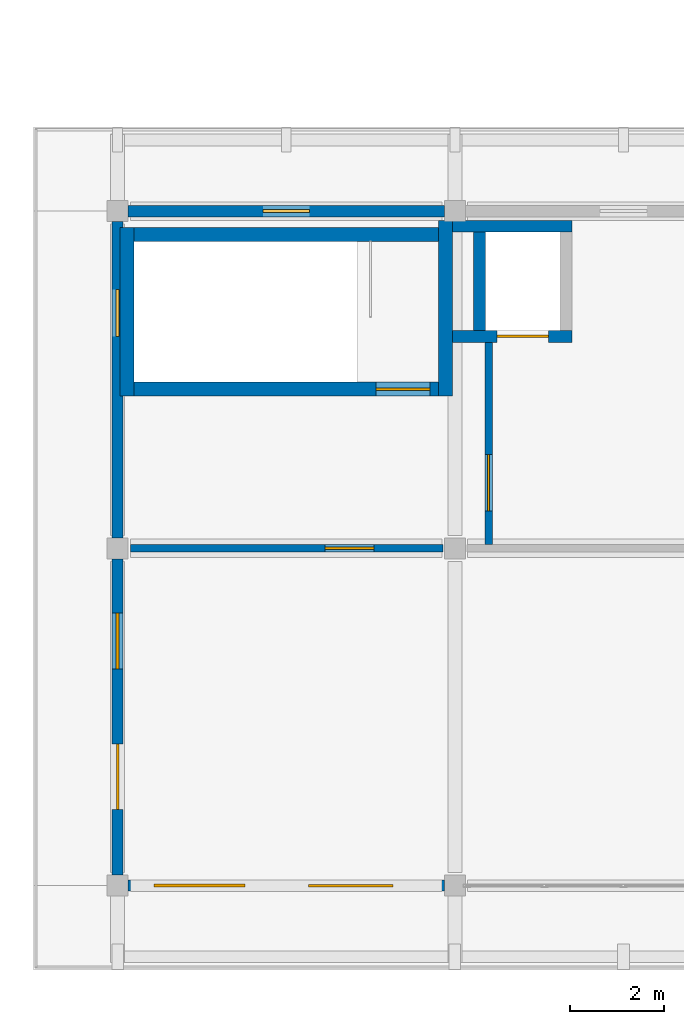
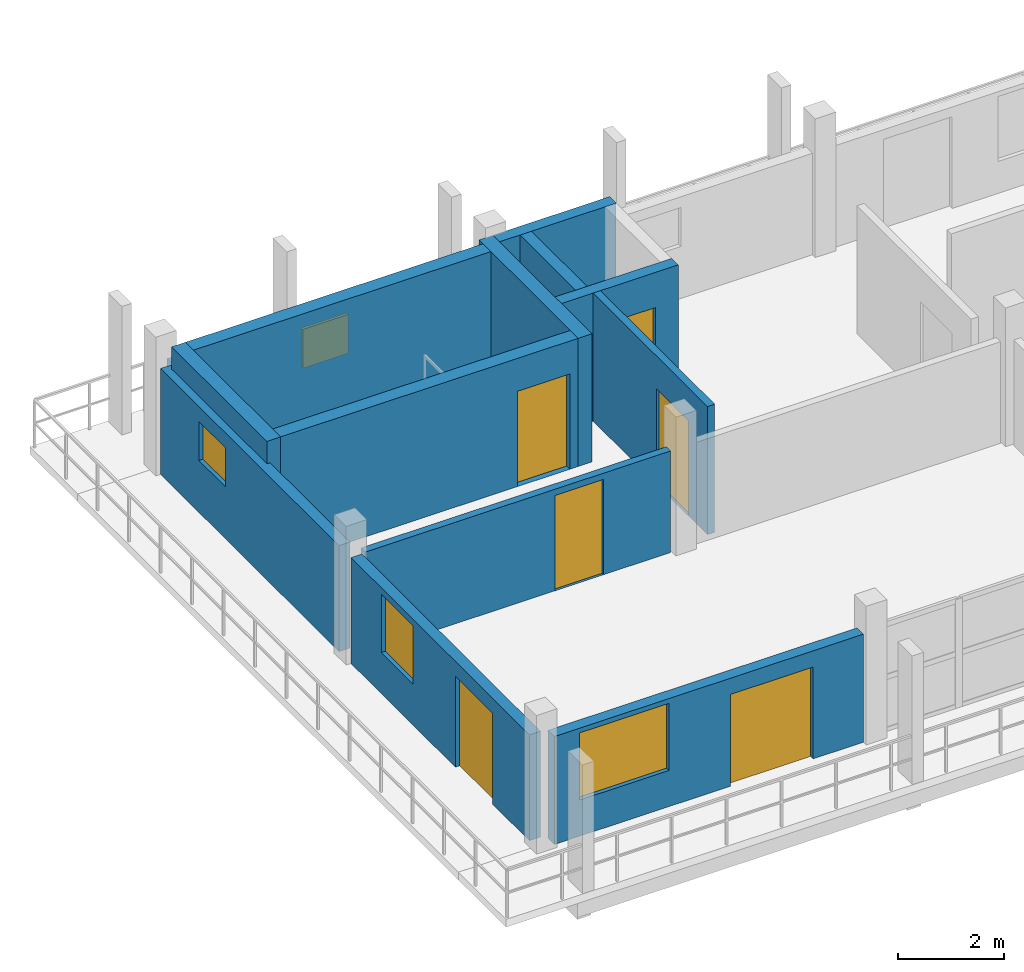
# One storey, part 31 of 56: 13 walls, 6 doors, 4 windows, 10 openings.
"""IFC4 building model written with IfcOpenShell, lengths in metres."""

from ifc_helpers import new_model, si_unit, direction, frame, frame_2d, origin, place, context, subcontext, project, spatial, rectangle, extrude, material, layer, layer_set, type_object, element, fill, save


model = new_model("IFC4")

# Units and contexts
model_context = context("Model", 3, precision=1e-05, world=origin(), true_north=direction((0.0, 1.0)))
body_context = subcontext(model_context, "Body", "Model", "MODEL_VIEW")
ifc_project = project(units=[si_unit("LENGTHUNIT", "METRE"), si_unit("AREAUNIT", "SQUARE_METRE"), si_unit("VOLUMEUNIT", "CUBIC_METRE"), si_unit("PLANEANGLEUNIT", "RADIAN"), si_unit("MASSUNIT", "GRAM", prefix="KILO")], contexts=[model_context])

# Site, building, storey
site_placement = place(None, origin())
site = spatial("IfcSite", under=ifc_project, at=site_placement, CompositionType="ELEMENT")
building_placement = place(site_placement, origin())
building = spatial("IfcBuilding", under=site, at=building_placement, Name="Suanplinth Sawtooth Commons", CompositionType="ELEMENT")
storey_placement = place(building_placement, frame((0.0, 0.0, 34.800048828125)))
storey = spatial("IfcBuildingStorey", under=building, at=storey_placement, Name="L10", CompositionType="ELEMENT", Elevation=34.800048828125)

# Wall, opening, door
ifc_material_1 = material(Name="Concrete C40/50", Category="concrete")
ifc_layer_1 = layer(ifc_material_1, 0.300048828125, Name="Standard RC stair and lift core wall 300mm")
ifc_layer_set_1 = layer_set([ifc_layer_1], Name="Concrete C40/50")
wall_type_1 = type_object("IfcWallType", Name="W-CR02", PredefinedType="SHEAR", material=ifc_layer_set_1)
wall_1_placement = place(storey_placement, frame((137.14990234375, 10.60009765625, 0.0), z_axis=(0.0, 0.0, 1.0), x_axis=(1.0, 0.0, 0.0)))
wall_1 = element("IfcWall", 1, at=wall_1_placement, inside=storey, type_object=wall_type_1, Name="W-L10-C-C1-STS", PredefinedType="SHEAR", context=body_context, shape_type="SweptSolid", body=[
    extrude(rectangle(XDim=6.5, YDim=0.300048828125, at=frame_2d((3.25, 0.0))), origin(), (0.0, 0.0, 1.0), 2.9599609375),
])
opening_1_placement = place(wall_1_placement, frame((5.169921875, 0.0, 0.0)))
opening_1 = element("IfcOpeningElement", 2, at=opening_1_placement, cuts=wall_1, Name="Opening FD0320", PredefinedType="OPENING", context=body_context, shape_type="SweptSolid", body=[
    extrude(rectangle(XDim=1.14990234375, YDim=2.199951171875, at=frame_2d((0.574951171875, 1.10009765625))), frame((0.0, 0.1650390625, 0.0), z_axis=(0.0, -1.0, 0.0), x_axis=(1.0, 0.0, 0.0)), (0.0, 0.0, 1.0), 0.329833984375),
])
ifc_material_2 = material(Name="Teak hardwood fire-rated door assembly", Category="wood")
door_type_1 = type_object("IfcDoorType", Name="FD-01", OperationType="NOTDEFINED", PredefinedType="DOOR", material=ifc_material_2)
door_1_placement = place(opening_1_placement, origin())
door_1 = element("IfcDoor", 3, at=door_1_placement, inside=storey, type_object=door_type_1, Name="Exit Stair Fire Door FD0320", OperationType="SINGLE_SWING_RIGHT", OverallHeight=2.199951171875, OverallWidth=1.14990234375, PredefinedType="DOOR", context=body_context, shape_type="SweptSolid", body=[
    extrude(rectangle(XDim=1.14990234375, YDim=2.199951171875, at=frame_2d((0.574951171875, 1.10009765625))), frame((0.0, 0.02490234375, 0.0), z_axis=(0.0, -1.0, 0.0), x_axis=(1.0, 0.0, 0.0)), (0.0, 0.0, 1.0), 0.050048828125),
])
fill(opening_1, door_1)

# Walls
wall_2_placement = place(storey_placement, frame((137.14990234375, 13.89990234375, 0.0), z_axis=(0.0, 0.0, 1.0), x_axis=(1.0, 0.0, 0.0)))
element("IfcWall", 4, at=wall_2_placement, inside=storey, type_object=wall_type_1, Name="W-L10-C-C1-STN", PredefinedType="SHEAR", context=body_context, shape_type="SweptSolid", body=[
    extrude(rectangle(XDim=6.5, YDim=0.300048828125, at=frame_2d((3.25, 0.0))), origin(), (0.0, 0.0, 1.0), 2.9599609375),
])
wall_3_placement = place(storey_placement, frame((137.0, 10.449951171875, 0.0), z_axis=(0.0, 0.0, 1.0), x_axis=(0.0, 1.0, 0.0)))
element("IfcWall", 5, at=wall_3_placement, inside=storey, type_object=wall_type_1, Name="W-L10-C-C1-STW", PredefinedType="SHEAR", context=body_context, shape_type="SweptSolid", body=[
    extrude(rectangle(XDim=3.60009765625, YDim=0.300048828125, at=frame_2d((1.800048828125, 0.0))), origin(), (0.0, 0.0, 1.0), 2.9599609375),
])
wall_4_placement = place(storey_placement, frame((143.800048828125, 10.449951171875, 0.0), z_axis=(0.0, 0.0, 1.0), x_axis=(0.0, 1.0, 0.0)))
element("IfcWall", 6, at=wall_4_placement, inside=storey, type_object=wall_type_1, Name="W-L10-C-C1-STE", PredefinedType="SHEAR", context=body_context, shape_type="SweptSolid", body=[
    extrude(rectangle(XDim=3.75, YDim=0.300048828125, at=frame_2d((1.875, 0.0))), origin(), (0.0, 0.0, 1.0), 2.9599609375),
])

# Wall, openings, door, window
ifc_material_3 = material(Name="Precast concrete C40/50", Category="concrete")
ifc_layer_2 = layer(ifc_material_3, 0.239990234375, Name="Upper insulated precast facade wall 240mm")
ifc_layer_set_2 = layer_set([ifc_layer_2], Name="Precast concrete C40/50")
wall_type_2 = type_object("IfcWallType", Name="W-EX03", PredefinedType="ELEMENTEDWALL", material=ifc_layer_set_2)
wall_5_placement = place(storey_placement, frame((137.02490234375, 0.0, 0.0), z_axis=(0.0, 0.0, 1.0), x_axis=(1.0, 0.0, 0.0)))
wall_5 = element("IfcWall", 7, at=wall_5_placement, inside=storey, type_object=wall_type_2, Name="Facade Wall W-L10-C-S-19-0", PredefinedType="ELEMENTEDWALL", context=body_context, shape_type="SweptSolid", body=[
    extrude(rectangle(XDim=6.75, YDim=0.239990234375, at=frame_2d((3.375, 0.0))), origin(), (0.0, 0.0, 1.0), 2.494873046875),
])
opening_2_placement = place(wall_5_placement, frame((3.85009765625, 0.0, 0.0)))
opening_2 = element("IfcOpeningElement", 8, at=opening_2_placement, cuts=wall_5, Name="Opening ED0764", PredefinedType="OPENING", context=body_context, shape_type="SweptSolid", body=[
    extrude(rectangle(XDim=1.800048828125, YDim=2.1201171875, at=frame_2d((0.89990234375, 1.06005859375))), frame((0.0, 0.134765625, 0.0), z_axis=(0.0, -1.0, 0.0), x_axis=(1.0, 0.0, 0.0)), (0.0, 0.0, 1.0), 0.269775390625),
])
opening_3_placement = place(wall_5_placement, frame((0.550048828125, 0.0, 0.8349609375)))
opening_3 = element("IfcOpeningElement", 9, at=opening_3_placement, cuts=wall_5, Name="Opening W0846", PredefinedType="OPENING", context=body_context, shape_type="SweptSolid", body=[
    extrude(rectangle(XDim=1.949951171875, YDim=1.550048828125, at=frame_2d((0.97509765625, 0.77490234375))), frame((0.0, 0.134765625, 0.0), z_axis=(0.0, -1.0, 0.0), x_axis=(1.0, 0.0, 0.0)), (0.0, 0.0, 1.0), 0.269775390625),
])
ifc_material_4 = material(Name="Anodized aluminium and low-E glass", Category="aluminium")
door_type_2 = type_object("IfcDoorType", Name="SD-01", OperationType="SLIDING_TO_LEFT", PredefinedType="DOOR", material=ifc_material_4)
door_2_placement = place(opening_2_placement, frame((1.800048828125, 0.0, 0.0), z_axis=(0.0, 0.0, 1.0), x_axis=(-1.0, 0.0, 0.0)))
door_2 = element("IfcDoor", 10, at=door_2_placement, inside=storey, type_object=door_type_2, Name="Balcony Sliding Door L10-C-19", OperationType="SLIDING_TO_LEFT", OverallHeight=2.1201171875, OverallWidth=1.800048828125, PredefinedType="DOOR", context=body_context, shape_type="SweptSolid", body=[
    extrude(rectangle(XDim=1.800048828125, YDim=2.1201171875, at=frame_2d((0.89990234375, 1.06005859375))), frame((0.0, 0.02490234375, 0.0), z_axis=(0.0, -1.0, 0.0), x_axis=(1.0, 0.0, 0.0)), (0.0, 0.0, 1.0), 0.050048828125),
])
fill(opening_2, door_2)
ifc_material_5 = material(Name="Thermally broken aluminium and low-E double glazing", Category="aluminium")
window_type_1 = type_object("IfcWindowType", Name="WN-18", PartitioningType="DOUBLE_PANEL_VERTICAL", PredefinedType="WINDOW", material=ifc_material_5)
window_1_placement = place(opening_3_placement, origin())
window_1 = element("IfcWindow", 11, at=window_1_placement, inside=storey, type_object=window_type_1, Name="Apartment Window L10-C-19", OverallHeight=1.550048828125, OverallWidth=1.949951171875, PartitioningType="DOUBLE_PANEL_VERTICAL", PredefinedType="WINDOW", context=body_context, shape_type="SweptSolid", body=[
    extrude(rectangle(XDim=1.949951171875, YDim=1.550048828125, at=frame_2d((0.97509765625, 0.77490234375))), frame((0.0, 0.030029296875, 0.0), z_axis=(0.0, -1.0, 0.0), x_axis=(1.0, 0.0, 0.0)), (0.0, 0.0, 1.0), 0.06005859375),
])
fill(opening_3, window_1)

wall_6_placement = place(storey_placement, frame((136.800048828125, 0.22509765625, 0.0), z_axis=(0.0, 0.0, 1.0), x_axis=(0.0, 1.0, 0.0)))
wall_6 = element("IfcWall", 12, at=wall_6_placement, inside=storey, type_object=wall_type_2, Name="Facade Wall W-L10-C-W-19-0", PredefinedType="ELEMENTEDWALL", context=body_context, shape_type="SweptSolid", body=[
    extrude(rectangle(XDim=6.75, YDim=0.239990234375, at=frame_2d((3.375, 0.0))), origin(), (0.0, 0.0, 1.0), 2.445068359375),
])
opening_4_placement = place(wall_6_placement, frame((1.39990234375, 0.0, 0.0)))
opening_4 = element("IfcOpeningElement", 13, at=opening_4_placement, cuts=wall_6, Name="Opening ED0765", PredefinedType="OPENING", context=body_context, shape_type="SweptSolid", body=[
    extrude(rectangle(XDim=1.39990234375, YDim=2.10009765625, at=frame_2d((0.699951171875, 1.050048828125))), frame((0.0, 0.134765625, 0.0), z_axis=(0.0, -1.0, 0.0), x_axis=(1.0, 0.0, 0.0)), (0.0, 0.0, 1.0), 0.269775390625),
])
opening_5_placement = place(wall_6_placement, frame((4.39990234375, 0.0, 0.949951171875)))
opening_5 = element("IfcOpeningElement", 14, at=opening_5_placement, cuts=wall_6, Name="Opening W0847", PredefinedType="OPENING", context=body_context, shape_type="SweptSolid", body=[
    extrude(rectangle(XDim=1.199951171875, YDim=1.35009765625, at=frame_2d((0.60009765625, 0.675048828125))), frame((0.0, 0.134765625, 0.0), z_axis=(0.0, -1.0, 0.0), x_axis=(1.0, 0.0, 0.0)), (0.0, 0.0, 1.0), 0.269775390625),
])
door_type_3 = type_object("IfcDoorType", Name="SD-07", OperationType="SLIDING_TO_RIGHT", PredefinedType="DOOR", material=ifc_material_4)
door_3_placement = place(opening_4_placement, frame((1.39990234375, 0.0, 0.0), z_axis=(0.0, 0.0, 1.0), x_axis=(-1.0, 0.0, 0.0)))
door_3 = element("IfcDoor", 15, at=door_3_placement, inside=storey, type_object=door_type_3, Name="End Balcony Sliding Door L10-C-W-19-0", OperationType="SLIDING_TO_RIGHT", OverallHeight=2.10009765625, OverallWidth=1.39990234375, PredefinedType="DOOR", context=body_context, shape_type="SweptSolid", body=[
    extrude(rectangle(XDim=1.39990234375, YDim=2.10009765625, at=frame_2d((0.699951171875, 1.050048828125))), frame((0.0, 0.02490234375, 0.0), z_axis=(0.0, -1.0, 0.0), x_axis=(1.0, 0.0, 0.0)), (0.0, 0.0, 1.0), 0.050048828125),
])
fill(opening_4, door_3)
window_type_2 = type_object("IfcWindowType", Name="WN-03", PartitioningType="SINGLE_PANEL", PredefinedType="WINDOW", material=ifc_material_5)
window_2_placement = place(opening_5_placement, origin())
window_2 = element("IfcWindow", 16, at=window_2_placement, inside=storey, type_object=window_type_2, Name="End Bedroom Window L10-C-19-0", OverallHeight=1.35009765625, OverallWidth=1.199951171875, PartitioningType="SINGLE_PANEL", PredefinedType="WINDOW", context=body_context, shape_type="SweptSolid", body=[
    extrude(rectangle(XDim=1.199951171875, YDim=1.35009765625, at=frame_2d((0.60009765625, 0.675048828125))), frame((0.0, 0.030029296875, 0.0), z_axis=(0.0, -1.0, 0.0), x_axis=(1.0, 0.0, 0.0)), (0.0, 0.0, 1.0), 0.06005859375),
])
fill(opening_5, window_2)

# Wall, opening, window
wall_7_placement = place(storey_placement, frame((137.02490234375, 14.39990234375, 0.0), z_axis=(0.0, 0.0, 1.0), x_axis=(1.0, 0.0, 0.0)))
wall_7 = element("IfcWall", 17, at=wall_7_placement, inside=storey, type_object=wall_type_2, Name="Facade Wall W-L10-C-N-19-1", PredefinedType="ELEMENTEDWALL", context=body_context, shape_type="SweptSolid", body=[
    extrude(rectangle(XDim=6.75, YDim=0.239990234375, at=frame_2d((3.375, 0.0))), origin(), (0.0, 0.0, 1.0), 2.344970703125),
])
opening_6_placement = place(wall_7_placement, frame((2.875, 0.0, 1.199951171875)))
opening_6 = element("IfcOpeningElement", 18, at=opening_6_placement, cuts=wall_7, Name="Opening W0848", PredefinedType="OPENING", context=body_context, shape_type="SweptSolid", body=[
    extrude(rectangle(XDim=1.0, YDim=0.89990234375, at=frame_2d((0.5, 0.449951171875))), frame((0.0, 0.134765625, 0.0), z_axis=(0.0, -1.0, 0.0), x_axis=(1.0, 0.0, 0.0)), (0.0, 0.0, 1.0), 0.269775390625),
])
window_type_3 = type_object("IfcWindowType", Name="WN-12", PartitioningType="SINGLE_PANEL", PredefinedType="WINDOW", material=ifc_material_5)
window_3_placement = place(opening_6_placement, origin())
window_3 = element("IfcWindow", 19, at=window_3_placement, inside=storey, type_object=window_type_3, Name="Core Daylight Window L10-C-19-1", OverallHeight=0.89990234375, OverallWidth=1.0, PartitioningType="SINGLE_PANEL", PredefinedType="WINDOW", context=body_context, shape_type="SweptSolid", body=[
    extrude(rectangle(XDim=1.0, YDim=0.89990234375, at=frame_2d((0.5, 0.449951171875))), frame((0.0, 0.030029296875, 0.0), z_axis=(0.0, -1.0, 0.0), x_axis=(1.0, 0.0, 0.0)), (0.0, 0.0, 1.0), 0.06005859375),
])
fill(opening_6, window_3)

wall_8_placement = place(storey_placement, frame((136.800048828125, 7.425048828125, 0.0), z_axis=(0.0, 0.0, 1.0), x_axis=(0.0, 1.0, 0.0)))
wall_8 = element("IfcWall", 20, at=wall_8_placement, inside=storey, type_object=wall_type_2, Name="Facade Wall W-L10-C-W-19-1", PredefinedType="ELEMENTEDWALL", context=body_context, shape_type="SweptSolid", body=[
    extrude(rectangle(XDim=6.75, YDim=0.239990234375, at=frame_2d((3.375, 0.0))), origin(), (0.0, 0.0, 1.0), 2.445068359375),
])
opening_7_placement = place(wall_8_placement, frame((4.300048828125, 0.0, 1.199951171875)))
opening_7 = element("IfcOpeningElement", 21, at=opening_7_placement, cuts=wall_8, Name="Opening W0849", PredefinedType="OPENING", context=body_context, shape_type="SweptSolid", body=[
    extrude(rectangle(XDim=1.0, YDim=0.89990234375, at=frame_2d((0.5, 0.449951171875))), frame((0.0, 0.134765625, 0.0), z_axis=(0.0, -1.0, 0.0), x_axis=(1.0, 0.0, 0.0)), (0.0, 0.0, 1.0), 0.269775390625),
])
window_4_placement = place(opening_7_placement, origin())
window_4 = element("IfcWindow", 22, at=window_4_placement, inside=storey, type_object=window_type_3, Name="Core Daylight Window L10-C-19-1", OverallHeight=0.89990234375, OverallWidth=1.0, PartitioningType="SINGLE_PANEL", PredefinedType="WINDOW", context=body_context, shape_type="SweptSolid", body=[
    extrude(rectangle(XDim=1.0, YDim=0.89990234375, at=frame_2d((0.5, 0.449951171875))), frame((0.0, 0.030029296875, 0.0), z_axis=(0.0, -1.0, 0.0), x_axis=(1.0, 0.0, 0.0)), (0.0, 0.0, 1.0), 0.06005859375),
])
fill(opening_7, window_4)

# Wall, opening, door
ifc_layer_3 = layer(ifc_material_3, 0.159912109375, Name="Fire-rated corridor and lobby wall 160mm")
ifc_layer_set_3 = layer_set([ifc_layer_3], Name="Precast concrete C40/50")
wall_type_3 = type_object("IfcWallType", Name="W-FW01", PredefinedType="PARTITIONING", material=ifc_layer_set_3)
wall_9_placement = place(storey_placement, frame((144.719970703125, 7.280029296875, 0.0), z_axis=(0.0, 0.0, 1.0), x_axis=(0.0, 1.0, 0.0)))
wall_9 = element("IfcWall", 23, at=wall_9_placement, inside=storey, type_object=wall_type_3, Name="W-L10-C-C1-LOB-W", PredefinedType="PARTITIONING", context=body_context, shape_type="SweptSolid", body=[
    extrude(rectangle(XDim=4.320068359375, YDim=0.159912109375, at=frame_2d((2.16015625, 0.0))), origin(), (0.0, 0.0, 1.0), 2.9599609375),
])
opening_8_placement = place(wall_9_placement, frame((0.719970703125, 0.0, 0.0)))
opening_8 = element("IfcOpeningElement", 24, at=opening_8_placement, cuts=wall_9, Name="Opening FD0321", PredefinedType="OPENING", context=body_context, shape_type="SweptSolid", body=[
    extrude(rectangle(XDim=1.199951171875, YDim=2.199951171875, at=frame_2d((0.60009765625, 1.10009765625))), frame((0.0, 0.0947265625, 0.0), z_axis=(0.0, -1.0, 0.0), x_axis=(1.0, 0.0, 0.0)), (0.0, 0.0, 1.0), 0.189697265625),
])
door_type_4 = type_object("IfcDoorType", Name="FD-02", OperationType="NOTDEFINED", PredefinedType="DOOR", material=ifc_material_2)
door_4_placement = place(opening_8_placement, origin())
door_4 = element("IfcDoor", 25, at=door_4_placement, inside=storey, type_object=door_type_4, Name="Lobby Fire Door FD0321", OperationType="SINGLE_SWING_LEFT", OverallHeight=2.199951171875, OverallWidth=1.199951171875, PredefinedType="DOOR", context=body_context, shape_type="SweptSolid", body=[
    extrude(rectangle(XDim=1.199951171875, YDim=2.199951171875, at=frame_2d((0.60009765625, 1.10009765625))), frame((0.0, 0.02490234375, 0.0), z_axis=(0.0, -1.0, 0.0), x_axis=(1.0, 0.0, 0.0)), (0.0, 0.0, 1.0), 0.050048828125),
])
fill(opening_8, door_4)

wall_10_placement = place(storey_placement, frame((137.080078125, 7.199951171875, 0.0), z_axis=(0.0, 0.0, 1.0), x_axis=(1.0, 0.0, 0.0)))
wall_10 = element("IfcWall", 26, at=wall_10_placement, inside=storey, type_object=wall_type_3, Name="W-C-L10-U01-COR-S1", PredefinedType="PARTITIONING", context=body_context, shape_type="SweptSolid", body=[
    extrude(rectangle(XDim=6.6650390625, YDim=0.159912109375, at=frame_2d((3.33251953125, 0.0))), origin(), (0.0, 0.0, 1.0), 2.344970703125),
])
opening_9_placement = place(wall_10_placement, frame((4.14501953125, 0.0, 0.0)))
opening_9 = element("IfcOpeningElement", 27, at=opening_9_placement, cuts=wall_10, Name="Opening D1904", PredefinedType="OPENING", context=body_context, shape_type="SweptSolid", body=[
    extrude(rectangle(XDim=1.050048828125, YDim=2.199951171875, at=frame_2d((0.52490234375, 1.10009765625))), frame((0.0, 0.0947265625, 0.0), z_axis=(0.0, -1.0, 0.0), x_axis=(1.0, 0.0, 0.0)), (0.0, 0.0, 1.0), 0.189697265625),
])
ifc_material_6 = material(Name="Teak hardwood", Category="wood")
door_type_5 = type_object("IfcDoorType", Name="D-05", OperationType="NOTDEFINED", PredefinedType="DOOR", material=ifc_material_6)
door_5_placement = place(opening_9_placement, frame((1.050048828125, 0.0, 0.0), z_axis=(0.0, 0.0, 1.0), x_axis=(-1.0, 0.0, 0.0)))
door_5 = element("IfcDoor", 28, at=door_5_placement, inside=storey, type_object=door_type_5, Name="Unit Entrance Door D1904", OperationType="SINGLE_SWING_RIGHT", OverallHeight=2.199951171875, OverallWidth=1.050048828125, PredefinedType="DOOR", context=body_context, shape_type="SweptSolid", body=[
    extrude(rectangle(XDim=1.050048828125, YDim=2.199951171875, at=frame_2d((0.52490234375, 1.10009765625))), frame((0.0, 0.02490234375, 0.0), z_axis=(0.0, -1.0, 0.0), x_axis=(1.0, 0.0, 0.0)), (0.0, 0.0, 1.0), 0.050048828125),
])
fill(opening_9, door_5)

ifc_layer_4 = layer(ifc_material_3, 0.25, Name="Precast structural shear wall 250mm")
ifc_layer_set_4 = layer_set([ifc_layer_4], Name="Precast concrete C40/50")
wall_type_4 = type_object("IfcWallType", Name="W-SH01", PredefinedType="SHEAR", material=ifc_layer_set_4)
wall_11_placement = place(storey_placement, frame((143.949951171875, 11.72509765625, 0.0), z_axis=(0.0, 0.0, 1.0), x_axis=(1.0, 0.0, 0.0)))
wall_11 = element("IfcWall", 29, at=wall_11_placement, inside=storey, type_object=wall_type_4, Name="W-L10-LF5-S", PredefinedType="SHEAR", context=body_context, shape_type="SweptSolid", body=[
    extrude(rectangle(XDim=2.550048828125, YDim=0.25, at=frame_2d((1.27490234375, 0.0))), origin(), (0.0, 0.0, 1.0), 2.9599609375),
])
opening_10_placement = place(wall_11_placement, frame((0.949951171875, 0.0, 0.0)))
opening_10 = element("IfcOpeningElement", 30, at=opening_10_placement, cuts=wall_11, Name="Opening LD0323", PredefinedType="OPENING", context=body_context, shape_type="SweptSolid", body=[
    extrude(rectangle(XDim=1.10009765625, YDim=2.14990234375, at=frame_2d((0.550048828125, 1.074951171875))), frame((0.0, 0.139892578125, 0.0), z_axis=(0.0, -1.0, 0.0), x_axis=(1.0, 0.0, 0.0)), (0.0, 0.0, 1.0), 0.27978515625),
])
ifc_material_7 = material(Name="Stainless steel Grade 304", Category="steel")
door_type_6 = type_object("IfcDoorType", Name="LD-01", OperationType="SLIDING_TO_LEFT", PredefinedType="DOOR", material=ifc_material_7)
door_6_placement = place(opening_10_placement, frame((1.10009765625, 0.0, 0.0), z_axis=(0.0, 0.0, 1.0), x_axis=(-1.0, 0.0, 0.0)))
door_6 = element("IfcDoor", 31, at=door_6_placement, inside=storey, type_object=door_type_6, Name="Lift Landing Sliding Door LF5 L10", OperationType="SLIDING_TO_LEFT", OverallHeight=2.14990234375, OverallWidth=1.10009765625, PredefinedType="DOOR", context=body_context, shape_type="SweptSolid", body=[
    extrude(rectangle(XDim=1.10009765625, YDim=2.14990234375, at=frame_2d((0.550048828125, 1.074951171875))), frame((0.0, 0.02490234375, 0.0), z_axis=(0.0, -1.0, 0.0), x_axis=(1.0, 0.0, 0.0)), (0.0, 0.0, 1.0), 0.050048828125),
])
fill(opening_10, door_6)

# Walls
wall_12_placement = place(storey_placement, frame((143.949951171875, 14.074951171875, 0.0), z_axis=(0.0, 0.0, 1.0), x_axis=(1.0, 0.0, 0.0)))
element("IfcWall", 32, at=wall_12_placement, inside=storey, type_object=wall_type_4, Name="W-L10-LF5-N", PredefinedType="SHEAR", context=body_context, shape_type="SweptSolid", body=[
    extrude(rectangle(XDim=2.550048828125, YDim=0.25, at=frame_2d((1.27490234375, 0.0))), origin(), (0.0, 0.0, 1.0), 2.9599609375),
])
wall_13_placement = place(storey_placement, frame((144.52490234375, 11.85009765625, 0.0), z_axis=(0.0, 0.0, 1.0), x_axis=(0.0, 1.0, 0.0)))
element("IfcWall", 33, at=wall_13_placement, inside=storey, type_object=wall_type_4, Name="W-L10-LF5-W", PredefinedType="SHEAR", context=body_context, shape_type="SweptSolid", body=[
    extrude(rectangle(XDim=2.099853515625, YDim=0.25, at=frame_2d((1.0498046875, 0.0))), origin(), (0.0, 0.0, 1.0), 2.9599609375),
])

save(model, "model.ifc")
